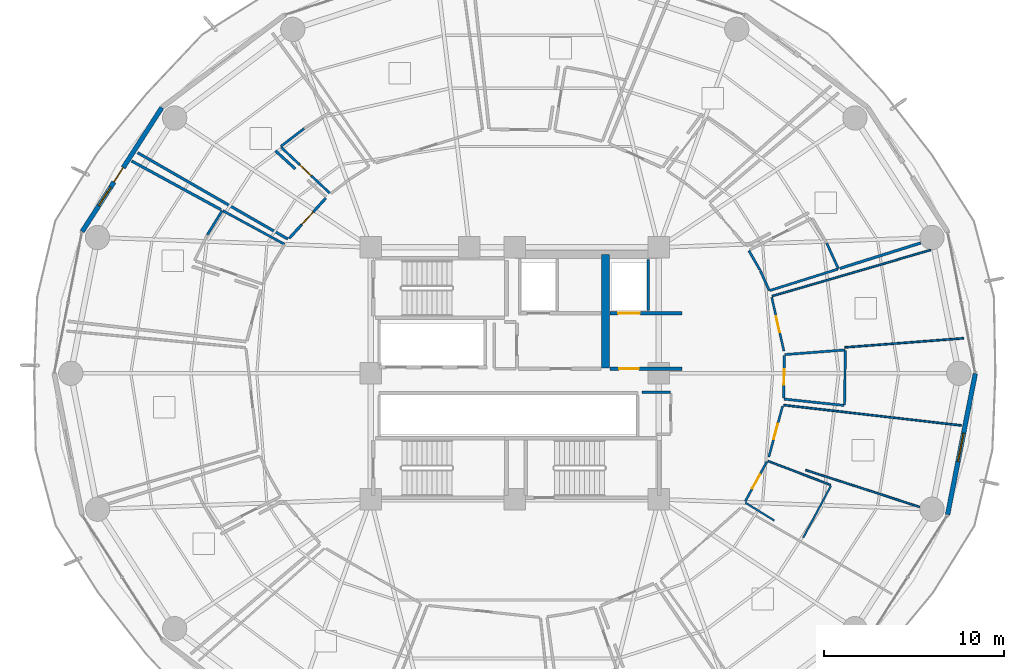
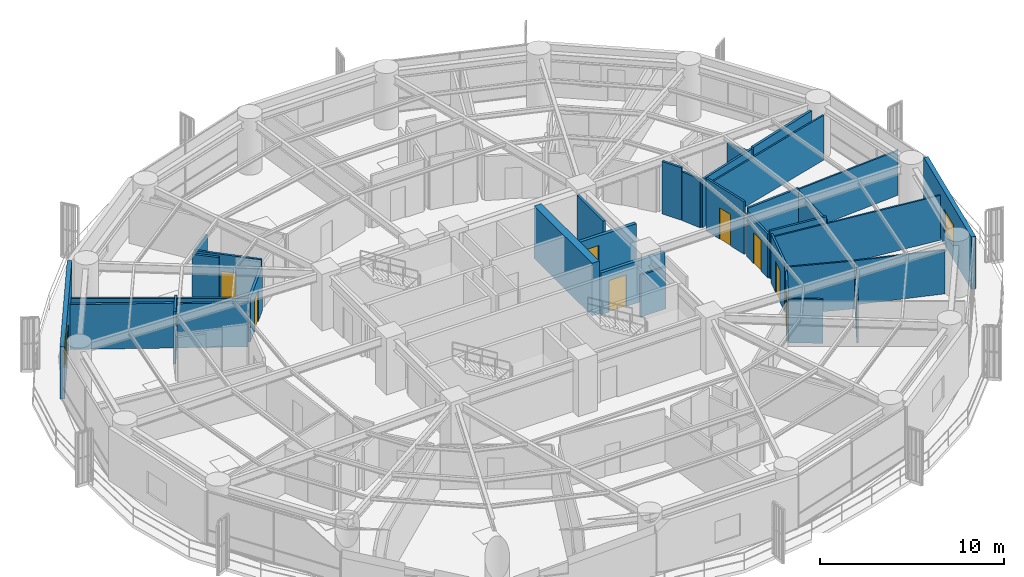
# One storey, part 31 of 37: 34 walls, 9 doors, 2 windows, 11 openings.
"""IFC4 building model written with IfcOpenShell, lengths in metres."""

from ifc_helpers import new_model, si_unit, direction, frame, frame_2d, origin, place, context, subcontext, project, spatial, rectangle, extrude, material, layer, layer_set, type_object, element, fill, save


model = new_model("IFC4")

# Units and contexts
model_context = context("Model", 3, precision=1e-05, world=origin(), true_north=direction((0.0, 1.0)))
body_context = subcontext(model_context, "Body", "Model", "MODEL_VIEW")
ifc_project = project(units=[si_unit("LENGTHUNIT", "METRE"), si_unit("AREAUNIT", "SQUARE_METRE"), si_unit("VOLUMEUNIT", "CUBIC_METRE"), si_unit("PLANEANGLEUNIT", "RADIAN"), si_unit("MASSUNIT", "GRAM", prefix="KILO")], contexts=[model_context])

# Site, building, storey
site_placement = place(None, origin())
site = spatial("IfcSite", under=ifc_project, at=site_placement, CompositionType="ELEMENT")
building_placement = place(site_placement, origin())
building = spatial("IfcBuilding", under=site, at=building_placement, Name="Kelanora Arch Commons", CompositionType="ELEMENT")
storey_placement = place(building_placement, frame((0.0, 0.0, 113.85009765625)))
storey = spatial("IfcBuildingStorey", under=building, at=storey_placement, Name="L29", CompositionType="ELEMENT", Elevation=113.85009765625)

# Wall
ifc_material_1 = material(Name="Autoclaved aerated concrete blockwork with fire plaster", Category="masonry")
ifc_layer_1 = layer(ifc_material_1, 0.14990234375)
ifc_layer_set_1 = layer_set([ifc_layer_1], Name="Autoclaved aerated concrete blockwork with fire plaster")
wall_type_1 = type_object("IfcWallType", Name="W-COMP-150", PredefinedType="PARTITIONING", material=ifc_layer_set_1)
wall_1_placement = place(storey_placement, frame((81.419921875, 61.47998046875, 0.0), z_axis=(0.0, 0.0, 1.0), x_axis=(0.0, 1.0, 0.0)))
element("IfcWall", 1, at=wall_1_placement, inside=storey, type_object=wall_type_1, Name="Firefighting Lift 2 East Shaft Wall L29", PredefinedType="PARTITIONING", context=body_context, shape_type="SweptSolid", body=[
    extrude(rectangle(XDim=2.840087890625, YDim=0.14990234375, at=frame_2d((1.419921875, 0.0))), origin(), (0.0, 0.0, 1.0), 3.47998046875),
])

# Wall, opening, door
wall_2_placement = place(storey_placement, frame((63.49853515625, 67.74267578125, 0.0), z_axis=(0.0, 0.0, 1.0), x_axis=(-0.672740744146, -0.739878294833, 0.0)))
wall_2 = element("IfcWall", 2, at=wall_2_placement, inside=storey, type_object=wall_type_1, Name="Co-Living Studio L29-05 Entry Partition", PredefinedType="PARTITIONING", context=body_context, shape_type="SweptSolid", body=[
    extrude(rectangle(XDim=3.0400390625, YDim=0.14990234375, at=frame_2d((1.52001953125, 0.0))), origin(), (0.0, 0.0, 1.0), 2.9248046875),
])
opening_1_placement = place(wall_2_placement, frame((1.044921875, 0.0, 0.0)))
opening_1 = element("IfcOpeningElement", 3, at=opening_1_placement, cuts=wall_2, Name="Opening D-CLU1", PredefinedType="OPENING", context=body_context, shape_type="SweptSolid", body=[
    extrude(rectangle(XDim=0.949951171875, YDim=2.080078125, at=frame_2d((0.47509765625, 1.0400390625))), frame((0.0, 0.0849609375, 0.0), z_axis=(0.0, -1.0, 0.0), x_axis=(1.0, 0.0, 0.0)), (0.0, 0.0, 1.0), 0.169921875),
])
ifc_material_2 = material(Name="Solid-core acoustic timber cluster entry fire door", Category="wood")
door_type_1 = type_object("IfcDoorType", Name="D-CLU-95", OperationType="NOTDEFINED", PredefinedType="DOOR", material=ifc_material_2)
door_1_placement = place(opening_1_placement, origin())
door_1 = element("IfcDoor", 4, at=door_1_placement, inside=storey, type_object=door_type_1, Name="Co-Living Studio L29-05 Door", OperationType="SINGLE_SWING_LEFT", OverallHeight=2.080078125, OverallWidth=0.949951171875, PredefinedType="DOOR", context=body_context, shape_type="SweptSolid", body=[
    extrude(rectangle(XDim=0.949951171875, YDim=2.080078125, at=frame_2d((0.47509765625, 1.0400390625))), frame((0.0, 0.02490234375, 0.0), z_axis=(0.0, -1.0, 0.0), x_axis=(1.0, 0.0, 0.0)), (0.0, 0.0, 1.0), 0.050048828125),
])
fill(opening_1, door_1)

# Walls
wall_3_placement = place(storey_placement, frame((96.5615234375, 65.246826171875, 0.0), z_axis=(0.0, 0.0, 1.0), x_axis=(-0.953736790079, -0.300642869946, 0.0)))
element("IfcWall", 5, at=wall_3_placement, inside=storey, type_object=wall_type_1, Name="Co-Living Studio L29-01 Enclosure Partition 5", PredefinedType="PARTITIONING", context=body_context, shape_type="SweptSolid", body=[
    extrude(rectangle(XDim=4.71240234375, YDim=0.14990234375, at=frame_2d((2.356201171875, 0.0))), origin(), (0.0, 0.0, 1.0), 3.23486328125),
])
wall_4_placement = place(storey_placement, frame((61.37841796875, 65.468994140625, 0.0), z_axis=(0.0, 0.0, 1.0), x_axis=(-0.867006010233, 0.498297680328, 0.0)))
element("IfcWall", 6, at=wall_4_placement, inside=storey, type_object=wall_type_1, Name="Co-Living Studio L29-05 Enclosure Partition 2", PredefinedType="PARTITIONING", context=body_context, shape_type="SweptSolid", body=[
    extrude(rectangle(XDim=9.626953125, YDim=0.14990234375, at=frame_2d((4.8134765625, 0.0))), origin(), (0.0, 0.0, 1.0), 2.974853515625),
])
wall_5_placement = place(storey_placement, frame((60.70166015625, 70.3662109375, 0.0), z_axis=(0.0, 0.0, 1.0), x_axis=(0.739866002318, -0.67275426317, 0.0)))
element("IfcWall", 7, at=wall_5_placement, inside=storey, type_object=wall_type_1, Name="Co-Living Studio L29-05 Enclosure Partition 7", PredefinedType="PARTITIONING", context=body_context, shape_type="SweptSolid", body=[
    extrude(rectangle(XDim=1.491455078125, YDim=0.14990234375, at=frame_2d((0.74560546875, 0.0))), origin(), (0.0, 0.0, 1.0), 3.1748046875),
])
wall_6_placement = place(storey_placement, frame((52.703125, 69.802978515625, 0.0), z_axis=(0.0, 0.0, 1.0), x_axis=(0.878285744871, -0.478136121159, 0.0)))
element("IfcWall", 8, at=wall_6_placement, inside=storey, type_object=wall_type_1, Name="Co-Living Studio L29-06 Enclosure Partition 5", PredefinedType="PARTITIONING", context=body_context, shape_type="SweptSolid", body=[
    extrude(rectangle(XDim=5.6630859375, YDim=0.14990234375, at=frame_2d((2.83154296875, 0.0))), origin(), (0.0, 0.0, 1.0), 2.974853515625),
])
ifc_material_3 = material(Name="Concrete C60/75", Category="concrete")
ifc_layer_2 = layer(ifc_material_3, 0.449951171875)
ifc_layer_set_2 = layer_set([ifc_layer_2], Name="Concrete C60/75")
wall_type_2 = type_object("IfcWallType", Name="W-CORE-450", PredefinedType="SHEAR", material=ifc_layer_set_2)
wall_7_placement = place(storey_placement, frame((79.050048828125, 58.300048828125, 0.0), z_axis=(0.0, 0.0, 1.0), x_axis=(0.0, 1.0, 0.0)))
element("IfcWall", 9, at=wall_7_placement, inside=storey, type_object=wall_type_2, Name="Core Shear Spine L29-CE-N", PredefinedType="SHEAR", context=body_context, shape_type="SweptSolid", body=[
    extrude(rectangle(XDim=6.300048828125, YDim=0.449951171875, at=frame_2d((3.14990234375, 0.0))), origin(), (0.0, 0.0, 1.0), 3.489990234375),
])

# Wall, openings, door, window
ifc_material_4 = material(Name="Precast concrete C40/50 with terracotta rainscreen", Category="masonry")
ifc_layer_3 = layer(ifc_material_4, 0.260009765625)
ifc_layer_set_3 = layer_set([ifc_layer_3], Name="Precast concrete C40/50 with terracotta rainscreen")
wall_type_3 = type_object("IfcWallType", Name="W-EXT-TC", PredefinedType="SOLIDWALL", material=ifc_layer_set_3)
wall_8_placement = place(storey_placement, frame((54.381103515625, 72.771484375, 0.0), z_axis=(0.0, 0.0, 1.0), x_axis=(-0.540620528459, -0.841266571432, 0.0)))
wall_8 = element("IfcWall", 10, at=wall_8_placement, inside=storey, type_object=wall_type_3, Name="Terracotta Exterior Wall L29-B07", PredefinedType="SOLIDWALL", context=body_context, shape_type="SweptSolid", body=[
    extrude(rectangle(XDim=8.19287109375, YDim=0.260009765625, at=frame_2d((4.096435546875, 0.0))), origin(), (0.0, 0.0, 1.0), 3.474853515625),
])
opening_2_placement = place(wall_8_placement, frame((3.970947265625, 0.0, 0.0)))
opening_2 = element("IfcOpeningElement", 11, at=opening_2_placement, cuts=wall_8, Name="Opening DB-01", PredefinedType="OPENING", context=body_context, shape_type="SweptSolid", body=[
    extrude(rectangle(XDim=0.949951171875, YDim=2.10009765625, at=frame_2d((0.47509765625, 1.050048828125))), frame((0.0, 0.14013671875, 0.0), z_axis=(0.0, -1.0, 0.0), x_axis=(1.0, 0.0, 0.0)), (0.0, 0.0, 1.0), 0.280029296875),
])
opening_3_placement = place(wall_8_placement, frame((5.27099609375, 0.0, 0.85009765625)))
opening_3 = element("IfcOpeningElement", 12, at=opening_3_placement, cuts=wall_8, Name="Opening WN-02", PredefinedType="OPENING", context=body_context, shape_type="SweptSolid", body=[
    extrude(rectangle(XDim=1.199951171875, YDim=1.449951171875, at=frame_2d((0.60009765625, 0.72509765625))), frame((0.0, 0.14013671875, 0.0), z_axis=(0.0, -1.0, 0.0), x_axis=(1.0, 0.0, 0.0)), (0.0, 0.0, 1.0), 0.280029296875),
])
ifc_material_5 = material(Name="Terracotta-aluminium thermally broken glazed balcony door", Category="masonry")
door_type_2 = type_object("IfcDoorType", Name="D-BAL-10", OperationType="NOTDEFINED", PredefinedType="DOOR", material=ifc_material_5)
door_2_placement = place(opening_2_placement, frame((0.949951171875, 0.0, 0.0), z_axis=(0.0, 0.0, 1.0), x_axis=(-1.0, 0.0, 0.0)))
door_2 = element("IfcDoor", 13, at=door_2_placement, inside=storey, type_object=door_type_2, Name="Wave Balcony Door L29-B07", OperationType="SINGLE_SWING_LEFT", OverallHeight=2.10009765625, OverallWidth=0.949951171875, PredefinedType="DOOR", context=body_context, shape_type="SweptSolid", body=[
    extrude(rectangle(XDim=0.949951171875, YDim=2.10009765625, at=frame_2d((0.47509765625, 1.050048828125))), frame((0.0, 0.02490234375, 0.0), z_axis=(0.0, -1.0, 0.0), x_axis=(1.0, 0.0, 0.0)), (0.0, 0.0, 1.0), 0.050048828125),
])
fill(opening_2, door_2)
ifc_material_6 = material(Name="Terracotta-anodised aluminium frame with operable awning sash", Category="masonry")
window_type_1 = type_object("IfcWindowType", Name="WIN-CL-12", PartitioningType="SINGLE_PANEL", PredefinedType="WINDOW", material=ifc_material_6)
window_1_placement = place(opening_3_placement, origin())
window_1 = element("IfcWindow", 14, at=window_1_placement, inside=storey, type_object=window_type_1, Name="Co-Living Operable Window L29-B07", OverallHeight=1.449951171875, OverallWidth=1.199951171875, PartitioningType="SINGLE_PANEL", PredefinedType="WINDOW", context=body_context, shape_type="SweptSolid", body=[
    extrude(rectangle(XDim=1.199951171875, YDim=1.449951171875, at=frame_2d((0.60009765625, 0.72509765625))), frame((0.0, 0.030029296875, 0.0), z_axis=(0.0, -1.0, 0.0), x_axis=(1.0, 0.0, 0.0)), (0.0, 0.0, 1.0), 0.06005859375),
])
fill(opening_3, window_1)

# Wall, opening, window
wall_9_placement = place(storey_placement, frame((98.05908203125, 50.148193359375, 0.0), z_axis=(0.0, 0.0, 1.0), x_axis=(0.192581843632, 0.981280914674, 0.0)))
wall_9 = element("IfcWall", 15, at=wall_9_placement, inside=storey, type_object=wall_type_3, Name="Terracotta Exterior Wall L29-B17", PredefinedType="SOLIDWALL", context=body_context, shape_type="SweptSolid", body=[
    extrude(rectangle(XDim=7.986572265625, YDim=0.260009765625, at=frame_2d((3.9931640625, 0.0))), origin(), (0.0, 0.0, 1.0), 3.474853515625),
])
opening_4_placement = place(wall_9_placement, frame((3.012939453125, 0.0, 0.85009765625)))
opening_4 = element("IfcOpeningElement", 16, at=opening_4_placement, cuts=wall_9, Name="Opening WN-01", PredefinedType="OPENING", context=body_context, shape_type="SweptSolid", body=[
    extrude(rectangle(XDim=1.60009765625, YDim=1.449951171875, at=frame_2d((0.800048828125, 0.72509765625))), frame((0.0, 0.14013671875, 0.0), z_axis=(0.0, -1.0, 0.0), x_axis=(1.0, 0.0, 0.0)), (0.0, 0.0, 1.0), 0.280029296875),
])
ifc_material_7 = material(Name="Terracotta-anodised aluminium frame with operable low-E glazing", Category="masonry")
window_type_2 = type_object("IfcWindowType", Name="WIN-CL-18", PartitioningType="DOUBLE_PANEL_VERTICAL", PredefinedType="WINDOW", material=ifc_material_7)
window_2_placement = place(opening_4_placement, origin())
window_2 = element("IfcWindow", 17, at=window_2_placement, inside=storey, type_object=window_type_2, Name="Co-Living Operable Window L29-B17", OverallHeight=1.449951171875, OverallWidth=1.60009765625, PartitioningType="SINGLE_PANEL", PredefinedType="WINDOW", context=body_context, shape_type="SweptSolid", body=[
    extrude(rectangle(XDim=1.60009765625, YDim=1.449951171875, at=frame_2d((0.800048828125, 0.72509765625))), frame((0.0, 0.030029296875, 0.0), z_axis=(0.0, -1.0, 0.0), x_axis=(1.0, 0.0, 0.0)), (0.0, 0.0, 1.0), 0.06005859375),
])
fill(opening_4, window_2)

# Wall, opening, door
ifc_material_8 = material(Name="Concrete C40/50", Category="concrete")
ifc_layer_4 = layer(ifc_material_8, 0.199951171875)
ifc_layer_set_4 = layer_set([ifc_layer_4], Name="Concrete C40/50")
wall_type_4 = type_object("IfcWallType", Name="W-FFL-200", PredefinedType="SOLIDWALL", material=ifc_layer_set_4)
wall_10_placement = place(storey_placement, frame((79.300048828125, 61.35009765625, 0.0), z_axis=(0.0, 0.0, 1.0), x_axis=(1.0, 0.0, 0.0)))
wall_10 = element("IfcWall", 18, at=wall_10_placement, inside=storey, type_object=wall_type_4, Name="Firefighting Lift 2 Shaft Front L29", PredefinedType="SOLIDWALL", context=body_context, shape_type="SweptSolid", body=[
    extrude(rectangle(XDim=4.0, YDim=0.199951171875, at=frame_2d((2.0, 0.0))), origin(), (0.0, 0.0, 1.0), 2.77490234375),
])
opening_5_placement = place(wall_10_placement, frame((0.449951171875, 0.0, 0.0)))
opening_5 = element("IfcOpeningElement", 19, at=opening_5_placement, cuts=wall_10, Name="Opening LD-FF", PredefinedType="OPENING", context=body_context, shape_type="SweptSolid", body=[
    extrude(rectangle(XDim=1.199951171875, YDim=2.14990234375, at=frame_2d((0.60009765625, 1.074951171875))), frame((0.0, 0.10986328125, 0.0), z_axis=(0.0, -1.0, 0.0), x_axis=(1.0, 0.0, 0.0)), (0.0, 0.0, 1.0), 0.219970703125),
])
ifc_material_9 = material(Name="Fire-rated firefighters lift sliding landing door")
door_type_3 = type_object("IfcDoorType", Name="D-LIFT-FF", OperationType="NOTDEFINED", PredefinedType="DOOR", material=ifc_material_9)
door_3_placement = place(opening_5_placement, origin())
door_3 = element("IfcDoor", 20, at=door_3_placement, inside=storey, type_object=door_type_3, Name="Firefighting Lift LF-FF2 Landing Door L29", OperationType="DOUBLE_DOOR_SLIDING", OverallHeight=2.14990234375, OverallWidth=1.199951171875, PredefinedType="DOOR", context=body_context, shape_type="SweptSolid", body=[
    extrude(rectangle(XDim=1.199951171875, YDim=2.14990234375, at=frame_2d((0.60009765625, 1.074951171875))), frame((0.0, 0.02490234375, 0.0), z_axis=(0.0, -1.0, 0.0), x_axis=(1.0, 0.0, 0.0)), (0.0, 0.0, 1.0), 0.050048828125),
])
fill(opening_5, door_3)

wall_11_placement = place(storey_placement, frame((79.300048828125, 58.25, 0.0), z_axis=(0.0, 0.0, 1.0), x_axis=(1.0, 0.0, 0.0)))
wall_11 = element("IfcWall", 21, at=wall_11_placement, inside=storey, type_object=wall_type_4, Name="Firefighting Lobby 2 Enclosure Wall L29", PredefinedType="SOLIDWALL", context=body_context, shape_type="SweptSolid", body=[
    extrude(rectangle(XDim=4.0, YDim=0.199951171875, at=frame_2d((2.0, 0.0))), origin(), (0.0, 0.0, 1.0), 2.77490234375),
])
opening_6_placement = place(wall_11_placement, frame((0.5, 0.0, 0.0)))
opening_6 = element("IfcOpeningElement", 22, at=opening_6_placement, cuts=wall_11, Name="Opening D-FFL1", PredefinedType="OPENING", context=body_context, shape_type="SweptSolid", body=[
    extrude(rectangle(XDim=1.10009765625, YDim=2.10009765625, at=frame_2d((0.550048828125, 1.050048828125))), frame((0.0, 0.10986328125, 0.0), z_axis=(0.0, -1.0, 0.0), x_axis=(1.0, 0.0, 0.0)), (0.0, 0.0, 1.0), 0.219970703125),
])
ifc_material_10 = material(Name="Smoke-sealed firefighting lobby fire door")
door_type_4 = type_object("IfcDoorType", Name="D-FFL-110", OperationType="NOTDEFINED", PredefinedType="DOOR", material=ifc_material_10)
door_4_placement = place(opening_6_placement, frame((1.10009765625, 0.0, 0.0), z_axis=(0.0, 0.0, 1.0), x_axis=(-1.0, 0.0, 0.0)))
door_4 = element("IfcDoor", 23, at=door_4_placement, inside=storey, type_object=door_type_4, Name="Firefighting Lobby 2 Door L29", OperationType="SINGLE_SWING_RIGHT", OverallHeight=2.10009765625, OverallWidth=1.10009765625, PredefinedType="DOOR", context=body_context, shape_type="SweptSolid", body=[
    extrude(rectangle(XDim=1.10009765625, YDim=2.10009765625, at=frame_2d((0.550048828125, 1.050048828125))), frame((0.0, 0.02490234375, 0.0), z_axis=(0.0, -1.0, 0.0), x_axis=(1.0, 0.0, 0.0)), (0.0, 0.0, 1.0), 0.050048828125),
])
fill(opening_6, door_4)

# Walls
ifc_material_11 = material(Name="Lightweight fire-rated acoustic stud partition")
ifc_layer_5 = layer(ifc_material_11, 0.10009765625)
ifc_layer_set_5 = layer_set([ifc_layer_5], Name="Lightweight fire-rated acoustic stud partition")
wall_type_5 = type_object("IfcWallType", Name="W-PART-100", PredefinedType="PARTITIONING", material=ifc_layer_set_5)
wall_12_placement = place(storey_placement, frame((88.079345703125, 53.124755859375, 0.0), z_axis=(0.0, 0.0, 1.0), x_axis=(0.934266096135, -0.356576585901, 0.0)))
element("IfcWall", 24, at=wall_12_placement, inside=storey, type_object=wall_type_5, Name="Student Laundry Room L29-13 Enclosure Partition 2", PredefinedType="PARTITIONING", context=body_context, shape_type="SweptSolid", body=[
    extrude(rectangle(XDim=3.719970703125, YDim=0.10009765625, at=frame_2d((1.85986328125, 0.0))), origin(), (0.0, 0.0, 1.0), 3.1748046875),
])
wall_13_placement = place(storey_placement, frame((91.5732421875, 51.748779296875, 0.0), z_axis=(0.0, 0.0, 1.0), x_axis=(-0.471220811646, -0.882015275759, 0.0)))
element("IfcWall", 25, at=wall_13_placement, inside=storey, type_object=wall_type_5, Name="Student Laundry Room L29-13 Enclosure Partition 3", PredefinedType="PARTITIONING", context=body_context, shape_type="SweptSolid", body=[
    extrude(rectangle(XDim=3.2646484375, YDim=0.10009765625, at=frame_2d((1.63232421875, 0.0))), origin(), (0.0, 0.0, 1.0), 2.9248046875),
])
wall_14_placement = place(storey_placement, frame((88.423583984375, 49.818359375, 0.0), z_axis=(0.0, 0.0, 1.0), x_axis=(-0.850546182958, 0.525900361908, 0.0)))
element("IfcWall", 26, at=wall_14_placement, inside=storey, type_object=wall_type_5, Name="Student Laundry Room L29-13 Enclosure Partition 4", PredefinedType="PARTITIONING", context=body_context, shape_type="SweptSolid", body=[
    extrude(rectangle(XDim=1.8876953125, YDim=0.10009765625, at=frame_2d((0.94384765625, 0.0))), origin(), (0.0, 0.0, 1.0), 2.9248046875),
])
wall_15_placement = place(storey_placement, frame((88.943603515625, 56.236328125, 0.0), z_axis=(0.0, 0.0, 1.0), x_axis=(0.993499735411, -0.113834422469, 0.0)))
element("IfcWall", 27, at=wall_15_placement, inside=storey, type_object=wall_type_5, Name="Quiet Reading Carrel L29-13 Enclosure Partition 2", PredefinedType="PARTITIONING", context=body_context, shape_type="SweptSolid", body=[
    extrude(rectangle(XDim=9.951416015625, YDim=0.10009765625, at=frame_2d((4.9755859375, 0.0))), origin(), (0.0, 0.0, 1.0), 2.974853515625),
])
wall_16_placement = place(storey_placement, frame((96.503173828125, 50.5751953125, 0.0), z_axis=(0.0, 0.0, 1.0), x_axis=(-0.951344022612, 0.308130736279, 0.0)))
element("IfcWall", 28, at=wall_16_placement, inside=storey, type_object=wall_type_5, Name="Quiet Reading Carrel L29-13 Enclosure Partition 4", PredefinedType="PARTITIONING", context=body_context, shape_type="SweptSolid", body=[
    extrude(rectangle(XDim=6.657958984375, YDim=0.10009765625, at=frame_2d((3.3291015625, 0.0))), origin(), (0.0, 0.0, 1.0), 2.9248046875),
])
wall_17_placement = place(storey_placement, frame((88.308349609375, 62.291259765625, 0.0), z_axis=(0.0, 0.0, 1.0), x_axis=(0.960114392492, 0.279607498701, 0.0)))
element("IfcWall", 29, at=wall_17_placement, inside=storey, type_object=wall_type_5, Name="Tutorial Study Alcove L29-14 Enclosure Partition 2", PredefinedType="PARTITIONING", context=body_context, shape_type="SweptSolid", body=[
    extrude(rectangle(XDim=9.172607421875, YDim=0.10009765625, at=frame_2d((4.58642578125, 0.0))), origin(), (0.0, 0.0, 1.0), 2.974853515625),
])
wall_18_placement = place(storey_placement, frame((98.945068359375, 59.949951171875, 0.0), z_axis=(0.0, 0.0, 1.0), x_axis=(-0.99706424063, -0.076569576575, 0.0)))
element("IfcWall", 30, at=wall_18_placement, inside=storey, type_object=wall_type_5, Name="Tutorial Study Alcove L29-14 Enclosure Partition 4", PredefinedType="PARTITIONING", context=body_context, shape_type="SweptSolid", body=[
    extrude(rectangle(XDim=6.619384765625, YDim=0.10009765625, at=frame_2d((3.3095703125, 0.0))), origin(), (0.0, 0.0, 1.0), 2.974853515625),
])

# Wall, opening, door
ifc_material_12 = material(Name="Acoustic twin-stud fire-rated gypsum partition")
ifc_layer_6 = layer(ifc_material_12, 0.1201171875)
ifc_layer_set_6 = layer_set([ifc_layer_6], Name="Acoustic twin-stud fire-rated gypsum partition")
wall_type_6 = type_object("IfcWallType", Name="W-PART-120", PredefinedType="PARTITIONING", material=ifc_layer_set_6)
wall_19_placement = place(storey_placement, frame((86.812744140625, 50.884765625, 0.0), z_axis=(0.0, 0.0, 1.0), x_axis=(0.478749799851, 0.877951381993, 0.0)))
wall_19 = element("IfcWall", 31, at=wall_19_placement, inside=storey, type_object=wall_type_6, Name="Student Laundry Room L29-13 Entry Partition", PredefinedType="PARTITIONING", context=body_context, shape_type="SweptSolid", body=[
    extrude(rectangle(XDim=2.507568359375, YDim=0.1201171875, at=frame_2d((1.25390625, 0.0))), origin(), (0.0, 0.0, 1.0), 2.9248046875),
])
opening_7_placement = place(wall_19_placement, frame((0.803955078125, 0.0, 0.0)))
opening_7 = element("IfcOpeningElement", 32, at=opening_7_placement, cuts=wall_19, Name="Opening D-RM1", PredefinedType="OPENING", context=body_context, shape_type="SweptSolid", body=[
    extrude(rectangle(XDim=0.89990234375, YDim=2.080078125, at=frame_2d((0.449951171875, 1.0400390625))), frame((0.0, 0.070068359375, 0.0), z_axis=(0.0, -1.0, 0.0), x_axis=(1.0, 0.0, 0.0)), (0.0, 0.0, 1.0), 0.14013671875),
])
ifc_material_13 = material(Name="Acoustic fire-rated timber study and lounge door", Category="wood")
door_type_5 = type_object("IfcDoorType", Name="D-ROOM-90", OperationType="NOTDEFINED", PredefinedType="DOOR", material=ifc_material_13)
door_5_placement = place(opening_7_placement, origin())
door_5 = element("IfcDoor", 33, at=door_5_placement, inside=storey, type_object=door_type_5, Name="Student Laundry Room L29-13 Door", OperationType="SINGLE_SWING_RIGHT", OverallHeight=2.080078125, OverallWidth=0.89990234375, PredefinedType="DOOR", context=body_context, shape_type="SweptSolid", body=[
    extrude(rectangle(XDim=0.89990234375, YDim=2.080078125, at=frame_2d((0.449951171875, 1.0400390625))), frame((0.0, 0.02490234375, 0.0), z_axis=(0.0, -1.0, 0.0), x_axis=(1.0, 0.0, 0.0)), (0.0, 0.0, 1.0), 0.050048828125),
])
fill(opening_7, door_5)

wall_20_placement = place(storey_placement, frame((88.12158203125, 53.352783203125, 0.0), z_axis=(0.0, 0.0, 1.0), x_axis=(0.261433251968, 0.965221557346, 0.0)))
wall_20 = element("IfcWall", 34, at=wall_20_placement, inside=storey, type_object=wall_type_6, Name="Quiet Reading Carrel L29-13 Entry Partition", PredefinedType="PARTITIONING", context=body_context, shape_type="SweptSolid", body=[
    extrude(rectangle(XDim=2.932373046875, YDim=0.1201171875, at=frame_2d((1.46630859375, 0.0))), origin(), (0.0, 0.0, 1.0), 3.23486328125),
])
opening_8_placement = place(wall_20_placement, frame((1.01611328125, 0.0, 0.0)))
opening_8 = element("IfcOpeningElement", 35, at=opening_8_placement, cuts=wall_20, Name="Opening D-RM1", PredefinedType="OPENING", context=body_context, shape_type="SweptSolid", body=[
    extrude(rectangle(XDim=0.89990234375, YDim=2.080078125, at=frame_2d((0.449951171875, 1.0400390625))), frame((0.0, 0.070068359375, 0.0), z_axis=(0.0, -1.0, 0.0), x_axis=(1.0, 0.0, 0.0)), (0.0, 0.0, 1.0), 0.14013671875),
])
door_6_placement = place(opening_8_placement, origin())
door_6 = element("IfcDoor", 36, at=door_6_placement, inside=storey, type_object=door_type_5, Name="Quiet Reading Carrel L29-13 Door", OperationType="SINGLE_SWING_LEFT", OverallHeight=2.080078125, OverallWidth=0.89990234375, PredefinedType="DOOR", context=body_context, shape_type="SweptSolid", body=[
    extrude(rectangle(XDim=0.89990234375, YDim=2.080078125, at=frame_2d((0.449951171875, 1.0400390625))), frame((0.0, 0.02490234375, 0.0), z_axis=(0.0, -1.0, 0.0), x_axis=(1.0, 0.0, 0.0)), (0.0, 0.0, 1.0), 0.050048828125),
])
fill(opening_8, door_6)

wall_21_placement = place(storey_placement, frame((88.959716796875, 59.242431640625, 0.0), z_axis=(0.0, 0.0, 1.0), x_axis=(-0.221455296127, 0.975170524481, 0.0)))
wall_21 = element("IfcWall", 37, at=wall_21_placement, inside=storey, type_object=wall_type_6, Name="Tutorial Study Alcove L29-14 Entry Partition", PredefinedType="PARTITIONING", context=body_context, shape_type="SweptSolid", body=[
    extrude(rectangle(XDim=3.054931640625, YDim=0.1201171875, at=frame_2d((1.52734375, 0.0))), origin(), (0.0, 0.0, 1.0), 3.47998046875),
])
opening_9_placement = place(wall_21_placement, frame((1.076904296875, 0.0, 0.0)))
opening_9 = element("IfcOpeningElement", 38, at=opening_9_placement, cuts=wall_21, Name="Opening D-RM1", PredefinedType="OPENING", context=body_context, shape_type="SweptSolid", body=[
    extrude(rectangle(XDim=0.89990234375, YDim=2.080078125, at=frame_2d((0.449951171875, 1.0400390625))), frame((0.0, 0.070068359375, 0.0), z_axis=(0.0, -1.0, 0.0), x_axis=(1.0, 0.0, 0.0)), (0.0, 0.0, 1.0), 0.14013671875),
])
door_7_placement = place(opening_9_placement, origin())
door_7 = element("IfcDoor", 39, at=door_7_placement, inside=storey, type_object=door_type_5, Name="Tutorial Study Alcove L29-14 Door", OperationType="SINGLE_SWING_LEFT", OverallHeight=2.080078125, OverallWidth=0.89990234375, PredefinedType="DOOR", context=body_context, shape_type="SweptSolid", body=[
    extrude(rectangle(XDim=0.89990234375, YDim=2.080078125, at=frame_2d((0.449951171875, 1.0400390625))), frame((0.0, 0.02490234375, 0.0), z_axis=(0.0, -1.0, 0.0), x_axis=(1.0, 0.0, 0.0)), (0.0, 0.0, 1.0), 0.050048828125),
])
fill(opening_9, door_7)

ifc_material_14 = material(Name="Moisture-resistant fire-rated cement-board plumbing wall")
ifc_layer_7 = layer(ifc_material_14, 0.1298828125)
ifc_layer_set_7 = layer_set([ifc_layer_7], Name="Moisture-resistant fire-rated cement-board plumbing wall")
wall_type_7 = type_object("IfcWallType", Name="W-WET-120", PredefinedType="PLUMBINGWALL", material=ifc_layer_set_7)
wall_22_placement = place(storey_placement, frame((63.71435546875, 68.01708984375, 0.0), z_axis=(0.0, 0.0, 1.0), x_axis=(-0.726954661445, 0.686685459438, 0.0)))
wall_22 = element("IfcWall", 40, at=wall_22_placement, inside=storey, type_object=wall_type_7, Name="En-Suite Shower WC L29-05 Entry Partition", PredefinedType="PLUMBINGWALL", context=body_context, shape_type="SweptSolid", body=[
    extrude(rectangle(XDim=3.704345703125, YDim=0.1298828125, at=frame_2d((1.85205078125, 0.0))), origin(), (0.0, 0.0, 1.0), 3.1748046875),
])
opening_10_placement = place(wall_22_placement, frame((1.422119140625, 0.0, 0.0)))
opening_10 = element("IfcOpeningElement", 41, at=opening_10_placement, cuts=wall_22, Name="Opening D-BT1", PredefinedType="OPENING", context=body_context, shape_type="SweptSolid", body=[
    extrude(rectangle(XDim=0.860107421875, YDim=2.050048828125, at=frame_2d((0.43017578125, 1.02490234375))), frame((0.0, 0.074951171875, 0.0), z_axis=(0.0, -1.0, 0.0), x_axis=(1.0, 0.0, 0.0)), (0.0, 0.0, 1.0), 0.14990234375),
])
ifc_material_15 = material(Name="Moisture-sealed fire-rated accessible bathroom door")
door_type_6 = type_object("IfcDoorType", Name="D-BATH-85", OperationType="NOTDEFINED", PredefinedType="DOOR", material=ifc_material_15)
door_8_placement = place(opening_10_placement, origin())
door_8 = element("IfcDoor", 42, at=door_8_placement, inside=storey, type_object=door_type_6, Name="En-Suite Shower WC L29-05 Door", OperationType="SINGLE_SWING_RIGHT", OverallHeight=2.050048828125, OverallWidth=0.860107421875, PredefinedType="DOOR", context=body_context, shape_type="SweptSolid", body=[
    extrude(rectangle(XDim=0.860107421875, YDim=2.050048828125, at=frame_2d((0.43017578125, 1.02490234375))), frame((0.0, 0.02490234375, 0.0), z_axis=(0.0, -1.0, 0.0), x_axis=(1.0, 0.0, 0.0)), (0.0, 0.0, 1.0), 0.050048828125),
])
fill(opening_10, door_8)

wall_23_placement = place(storey_placement, frame((88.947998046875, 56.632080078125, 0.0), z_axis=(0.0, 0.0, 1.0), x_axis=(0.015790238921, 0.999875326406, 0.0)))
wall_23 = element("IfcWall", 43, at=wall_23_placement, inside=storey, type_object=wall_type_7, Name="Accessible Shared Floor WC L29-14 Entry Partition", PredefinedType="PLUMBINGWALL", context=body_context, shape_type="SweptSolid", body=[
    extrude(rectangle(XDim=2.35009765625, YDim=0.1298828125, at=frame_2d((1.175048828125, 0.0))), origin(), (0.0, 0.0, 1.0), 2.9248046875),
])
opening_11_placement = place(wall_23_placement, frame((0.7451171875, 0.0, 0.0)))
opening_11 = element("IfcOpeningElement", 44, at=opening_11_placement, cuts=wall_23, Name="Opening D-BT1", PredefinedType="OPENING", context=body_context, shape_type="SweptSolid", body=[
    extrude(rectangle(XDim=0.860107421875, YDim=2.050048828125, at=frame_2d((0.43017578125, 1.02490234375))), frame((0.0, 0.074951171875, 0.0), z_axis=(0.0, -1.0, 0.0), x_axis=(1.0, 0.0, 0.0)), (0.0, 0.0, 1.0), 0.14990234375),
])
door_9_placement = place(opening_11_placement, origin())
door_9 = element("IfcDoor", 45, at=door_9_placement, inside=storey, type_object=door_type_6, Name="Accessible Shared Floor WC L29-14 Door", OperationType="SINGLE_SWING_RIGHT", OverallHeight=2.050048828125, OverallWidth=0.860107421875, PredefinedType="DOOR", context=body_context, shape_type="SweptSolid", body=[
    extrude(rectangle(XDim=0.860107421875, YDim=2.050048828125, at=frame_2d((0.43017578125, 1.02490234375))), frame((0.0, 0.02490234375, 0.0), z_axis=(0.0, -1.0, 0.0), x_axis=(1.0, 0.0, 0.0)), (0.0, 0.0, 1.0), 0.050048828125),
])
fill(opening_11, door_9)

# Walls
wall_24_placement = place(storey_placement, frame((82.659912109375, 56.949951171875, 0.0), z_axis=(0.0, 0.0, 1.0), x_axis=(-1.0, 0.0, 0.0)))
element("IfcWall", 46, at=wall_24_placement, inside=storey, type_object=wall_type_7, Name="Core Accessible Unisex WC L29 Enclosure Partition 3", PredefinedType="PLUMBINGWALL", context=body_context, shape_type="SweptSolid", body=[
    extrude(rectangle(XDim=1.58984375, YDim=0.1298828125, at=frame_2d((0.794921875, 0.0))), origin(), (0.0, 0.0, 1.0), 2.77490234375),
])
wall_25_placement = place(storey_placement, frame((88.141845703125, 62.61328125, 0.0), z_axis=(0.0, 0.0, 1.0), x_axis=(-0.412001110445, 0.911183343237, 0.0)))
element("IfcWall", 47, at=wall_25_placement, inside=storey, type_object=wall_type_7, Name="En-Suite Shower WC L29-01 Enclosure Partition 1", PredefinedType="PLUMBINGWALL", context=body_context, shape_type="SweptSolid", body=[
    extrude(rectangle(XDim=1.21533203125, YDim=0.1298828125, at=frame_2d((0.607666015625, 0.0))), origin(), (0.0, 0.0, 1.0), 3.23486328125),
])
wall_26_placement = place(storey_placement, frame((87.623046875, 63.75634765625, 0.0), z_axis=(0.0, 0.0, 1.0), x_axis=(-0.49839243415, 0.866951545118, 0.0)))
element("IfcWall", 48, at=wall_26_placement, inside=storey, type_object=wall_type_7, Name="En-Suite Shower WC L29-01 Enclosure Partition 2", PredefinedType="PLUMBINGWALL", context=body_context, shape_type="SweptSolid", body=[
    extrude(rectangle(XDim=1.22412109375, YDim=0.1298828125, at=frame_2d((0.612060546875, 0.0))), origin(), (0.0, 0.0, 1.0), 3.47998046875),
])
wall_27_placement = place(storey_placement, frame((91.34228515625, 65.231689453125, 0.0), z_axis=(0.0, 0.0, 1.0), x_axis=(0.414183029379, -0.910193615762, 0.0)))
element("IfcWall", 49, at=wall_27_placement, inside=storey, type_object=wall_type_7, Name="En-Suite Shower WC L29-01 Enclosure Partition 5", PredefinedType="PLUMBINGWALL", context=body_context, shape_type="SweptSolid", body=[
    extrude(rectangle(XDim=1.548583984375, YDim=0.1298828125, at=frame_2d((0.7744140625, 0.0))), origin(), (0.0, 0.0, 1.0), 2.9248046875),
])
wall_28_placement = place(storey_placement, frame((91.972900390625, 63.798095703125, 0.0), z_axis=(0.0, 0.0, 1.0), x_axis=(-0.953881070773, -0.30018478113, 0.0)))
element("IfcWall", 50, at=wall_28_placement, inside=storey, type_object=wall_type_7, Name="En-Suite Shower WC L29-01 Enclosure Partition 6", PredefinedType="PLUMBINGWALL", context=body_context, shape_type="SweptSolid", body=[
    extrude(rectangle(XDim=3.987548828125, YDim=0.1298828125, at=frame_2d((1.99365234375, 0.0))), origin(), (0.0, 0.0, 1.0), 3.1748046875),
])
wall_29_placement = place(storey_placement, frame((60.993896484375, 70.6142578125, 0.0), z_axis=(0.0, 0.0, 1.0), x_axis=(0.793879690019, 0.608074861982, 0.0)))
element("IfcWall", 51, at=wall_29_placement, inside=storey, type_object=wall_type_7, Name="En-Suite Shower WC L29-05 Enclosure Partition 4", PredefinedType="PLUMBINGWALL", context=body_context, shape_type="SweptSolid", body=[
    extrude(rectangle(XDim=1.6240234375, YDim=0.1298828125, at=frame_2d((0.81201171875, 0.0))), origin(), (0.0, 0.0, 1.0), 3.1748046875),
])
wall_30_placement = place(storey_placement, frame((56.91259765625, 65.7080078125, 0.0), z_axis=(0.0, 0.0, 1.0), x_axis=(0.526177275406, 0.850374902526, 0.0)))
element("IfcWall", 52, at=wall_30_placement, inside=storey, type_object=wall_type_7, Name="En-Suite Shower WC L29-06 Enclosure Partition 5", PredefinedType="PLUMBINGWALL", context=body_context, shape_type="SweptSolid", body=[
    extrude(rectangle(XDim=1.564208984375, YDim=0.1298828125, at=frame_2d((0.7822265625, 0.0))), origin(), (0.0, 0.0, 1.0), 3.47998046875),
])
wall_31_placement = place(storey_placement, frame((57.763671875, 67.04541015625, 0.0), z_axis=(0.0, 0.0, 1.0), x_axis=(0.878498615176, -0.477744893362, 0.0)))
element("IfcWall", 53, at=wall_31_placement, inside=storey, type_object=wall_type_7, Name="En-Suite Shower WC L29-06 Enclosure Partition 6", PredefinedType="PLUMBINGWALL", context=body_context, shape_type="SweptSolid", body=[
    extrude(rectangle(XDim=3.909912109375, YDim=0.1298828125, at=frame_2d((1.955078125, 0.0))), origin(), (0.0, 0.0, 1.0), 2.9248046875),
])
wall_32_placement = place(storey_placement, frame((89.005859375, 59.04345703125, 0.0), z_axis=(0.0, 0.0, 1.0), x_axis=(0.997068998962, 0.076507589879, 0.0)))
element("IfcWall", 54, at=wall_32_placement, inside=storey, type_object=wall_type_7, Name="Accessible Shared Floor WC L29-14 Enclosure Partition 2", PredefinedType="PLUMBINGWALL", context=body_context, shape_type="SweptSolid", body=[
    extrude(rectangle(XDim=3.360107421875, YDim=0.1298828125, at=frame_2d((1.68017578125, 0.0))), origin(), (0.0, 0.0, 1.0), 3.1748046875),
])
wall_33_placement = place(storey_placement, frame((92.375732421875, 59.281982421875, 0.0), z_axis=(0.0, 0.0, 1.0), x_axis=(-0.015227474391, -0.99988405529, 0.0)))
element("IfcWall", 55, at=wall_33_placement, inside=storey, type_object=wall_type_7, Name="Accessible Shared Floor WC L29-14 Enclosure Partition 3", PredefinedType="PLUMBINGWALL", context=body_context, shape_type="SweptSolid", body=[
    extrude(rectangle(XDim=3.046142578125, YDim=0.1298828125, at=frame_2d((1.52294921875, 0.0))), origin(), (0.0, 0.0, 1.0), 2.9248046875),
])
wall_34_placement = place(storey_placement, frame((92.30908203125, 56.218017578125, 0.0), z_axis=(0.0, 0.0, 1.0), x_axis=(-0.994505850967, 0.104681003013, 0.0)))
element("IfcWall", 56, at=wall_34_placement, inside=storey, type_object=wall_type_7, Name="Accessible Shared Floor WC L29-14 Enclosure Partition 4", PredefinedType="PLUMBINGWALL", context=body_context, shape_type="SweptSolid", body=[
    extrude(rectangle(XDim=3.36083984375, YDim=0.1298828125, at=frame_2d((1.680419921875, 0.0))), origin(), (0.0, 0.0, 1.0), 3.1748046875),
])

save(model, "model.ifc")
